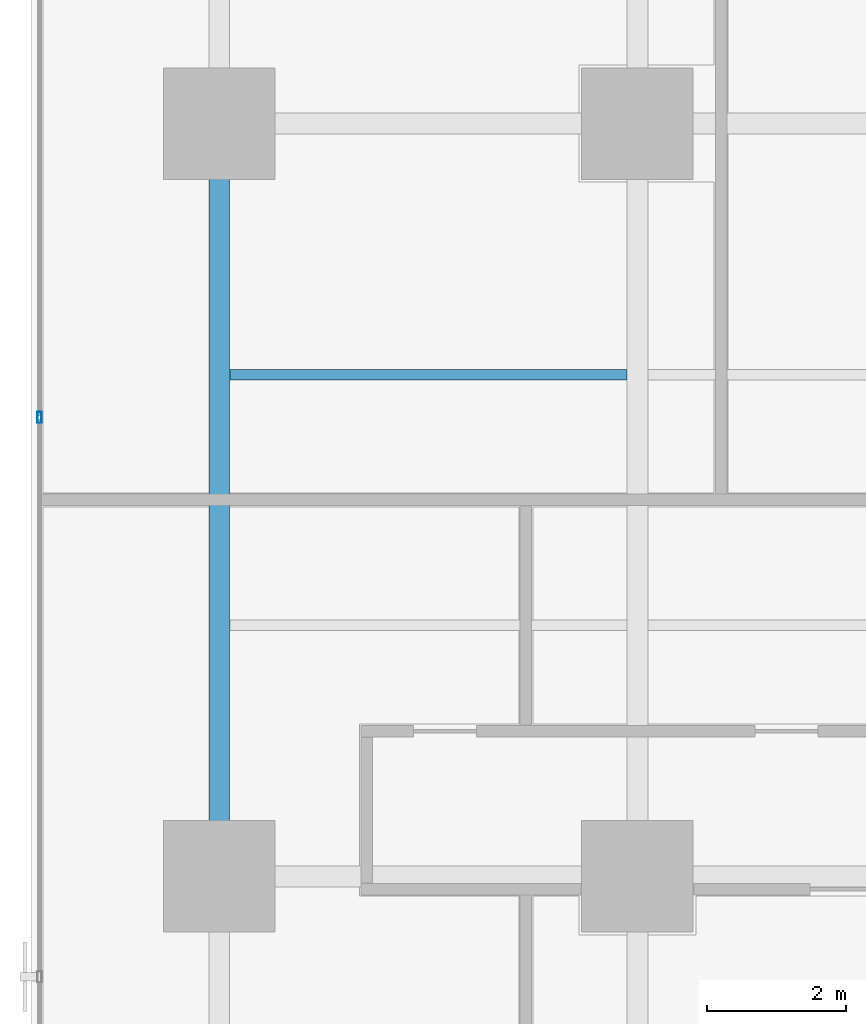
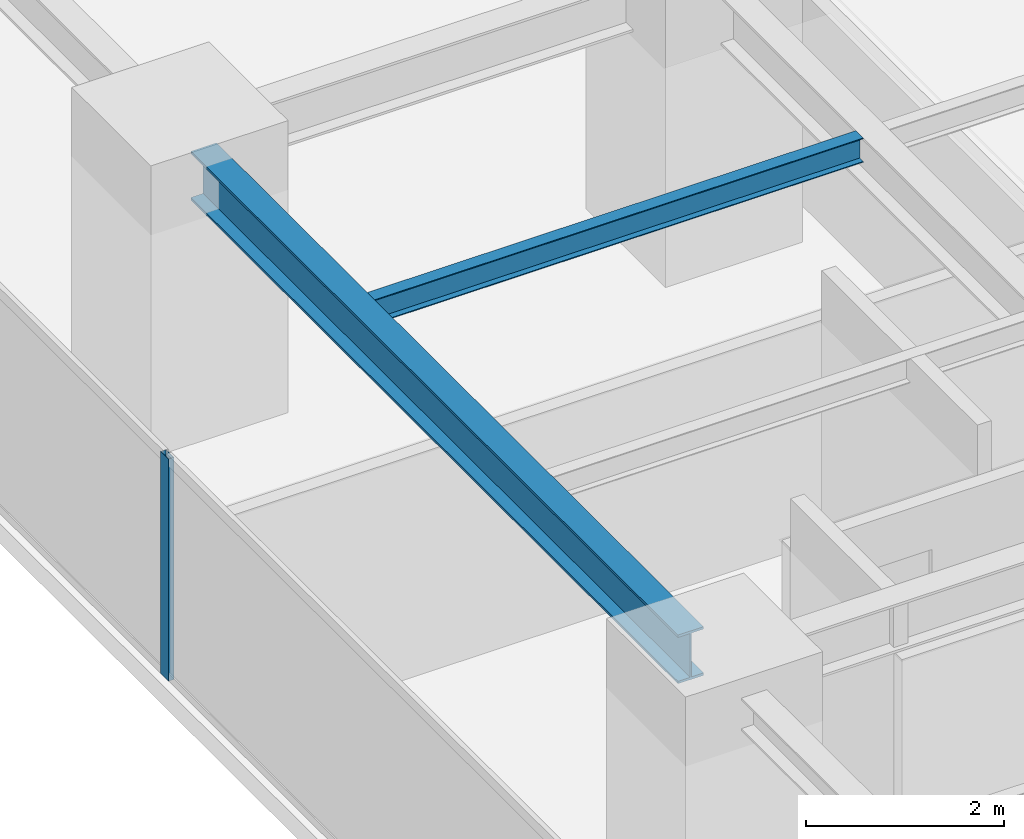
# One storey, part 8 of 35: 2 beams, 1 member, 1 element without a shape of its own.
"""IFC4 building model written with IfcOpenShell, lengths in metres."""

import ifcopenshell
import ifcopenshell.guid

model = None  # the IFC model being written
_history = None  # IfcOwnerHistory: only IFC2X3 demands one
_inside = {}  # id of a spatial element -> (the spatial element, [elements in it])
_under = {}  # id of a project, library or spatial element -> (it, [spatial elements below it])
_declared = {}  # id of a project -> (the project, [libraries it declares])
_typed = {}  # id of a type object -> (the type object, [elements of that type])
_made_of = {}  # id of a material, layer set ... -> (it, [elements and type objects made of it])


def new_model(schema):
    """Start an empty IFC model of exactly this schema.

    Asked for "IFC4X3", IfcOpenShell would pick the latest addendum, in which some entities
    have other attributes; the version numbers below select the first issue.
    IFC2X3 requires an IfcOwnerHistory on every rooted entity: one is made here for all.
    """
    global model, _history
    if schema == "IFC4X3":
        model = ifcopenshell.file(schema_version=(4, 3, 0, 0))
    else:
        model = ifcopenshell.file(schema=schema)
    _inside.clear()
    _under.clear()
    _declared.clear()
    _typed.clear()
    _made_of.clear()
    _history = None
    if model.schema == "IFC2X3":
        org = make("IfcOrganization", Name="unknown")
        user = make(
            "IfcPersonAndOrganization",
            ThePerson=make("IfcPerson", FamilyName="unknown"),
            TheOrganization=org,
        )
        app = make(
            "IfcApplication",
            ApplicationDeveloper=org,
            Version="unknown",
            ApplicationFullName="unknown",
            ApplicationIdentifier="unknown",
        )
        _history = make(
            "IfcOwnerHistory",
            OwningUser=user,
            OwningApplication=app,
            ChangeAction="ADDED",
            CreationDate=0,
        )
    return model


def make(cls, **values):
    """One entity of the class cls with the attributes given. An attribute that is None is left unset."""
    return model.create_entity(
        cls, **{name: value for name, value in values.items() if value is not None}
    )


def rooted(cls, **values):
    """An entity with a GlobalId (a new one), such as an element, a storey or a relation."""
    return make(cls, GlobalId=ifcopenshell.guid.new(), OwnerHistory=_history, **values)


def si_unit(unit_type, name, prefix=None):
    """IfcSIUnit, for example si_unit("LENGTHUNIT", "METRE", prefix="MILLI")."""
    return make("IfcSIUnit", UnitType=unit_type, Prefix=prefix, Name=name)


def assignment(units):
    """IfcUnitAssignment: the units of a project."""
    return None if units is None else make("IfcUnitAssignment", Units=units)


def point(xyz):
    """IfcCartesianPoint."""
    return None if xyz is None else make("IfcCartesianPoint", Coordinates=xyz)


def direction(xyz):
    """IfcDirection."""
    return None if xyz is None else make("IfcDirection", DirectionRatios=xyz)


def frame(location, z_axis=None, x_axis=None):
    """IfcAxis2Placement3D, a coordinate frame: its origin and axes. An axis left out is left unset."""
    return make(
        "IfcAxis2Placement3D",
        Location=point(location),
        Axis=direction(z_axis),
        RefDirection=direction(x_axis),
    )


def frame_2d(location, x_axis=None):
    """IfcAxis2Placement2D, a coordinate frame in the plane: its origin and x axis."""
    return make(
        "IfcAxis2Placement2D", Location=point(location), RefDirection=direction(x_axis)
    )


def origin():
    """The frame at (0, 0, 0) with its axes left unset."""
    return frame((0.0, 0.0, 0.0))


def origin_2d():
    """The frame at (0, 0) in the plane with its x axis left unset."""
    return frame_2d((0.0, 0.0))


def place(relative_to, where):
    """IfcLocalPlacement: puts the frame where relative to a parent placement (None: the world)."""
    return make(
        "IfcLocalPlacement", PlacementRelTo=relative_to, RelativePlacement=where
    )


def context(
    kind, dimensions, precision=None, world=None, true_north=None, identifier=None
):
    """IfcGeometricRepresentationContext, for example the 3D "Model" context."""
    return make(
        "IfcGeometricRepresentationContext",
        ContextIdentifier=identifier,
        ContextType=kind,
        CoordinateSpaceDimension=dimensions,
        Precision=precision,
        WorldCoordinateSystem=world,
        TrueNorth=true_north,
    )


def subcontext(parent, identifier, kind, view, scale=None):
    """IfcGeometricRepresentationSubContext, for example "Body" below "Model"."""
    return make(
        "IfcGeometricRepresentationSubContext",
        ContextIdentifier=identifier,
        ContextType=kind,
        ParentContext=parent,
        TargetScale=scale,
        TargetView=view,
    )


def project(units=None, contexts=None):
    """IfcProject with its units and contexts."""
    return rooted(
        "IfcProject",
        Name="project",
        RepresentationContexts=contexts,
        UnitsInContext=assignment(units),
    )


def spatial(cls, under=None, at=None, **own):
    """A site, building, storey or space (cls), placed at a placement, below another one or the project."""
    s = rooted(cls, ObjectPlacement=at, **own)
    if under is not None:
        _under.setdefault(under.id(), (under, []))[1].append(s)
    return s


def profile(cls, at=None, kind="AREA", **sizes):
    """A parametric profile (cls). Its sizes go by their IFC names, for example OverallWidth=200.0."""
    return make(cls, ProfileType=kind, Position=at, **sizes)


def hollow_rectangle(**sizes):
    """IfcRectangleHollowProfileDef."""
    return profile("IfcRectangleHollowProfileDef", **sizes)


def i_section(**sizes):
    """IfcIShapeProfileDef."""
    return profile("IfcIShapeProfileDef", **sizes)


def extrude(swept, where, along, depth):
    """IfcExtrudedAreaSolid: the profile swept, set in the frame where, extruded along a direction by depth."""
    return make(
        "IfcExtrudedAreaSolid",
        SweptArea=swept,
        Position=where,
        ExtrudedDirection=direction(along),
        Depth=depth,
    )


def shape(context_of_items, identifier, shape_type, items):
    """IfcShapeRepresentation: the items that make up one representation, for example the "Body"."""
    return make(
        "IfcShapeRepresentation",
        ContextOfItems=context_of_items,
        RepresentationIdentifier=identifier,
        RepresentationType=shape_type,
        Items=items,
    )


def source(mapping_origin, context_of_items, identifier, shape_type, items):
    """IfcRepresentationMap: a shape defined once, which mapped items show again and again."""
    return make(
        "IfcRepresentationMap",
        MappingOrigin=mapping_origin,
        MappedRepresentation=shape(context_of_items, identifier, shape_type, items),
    )


def transform(
    local_origin,
    x_axis=None,
    y_axis=None,
    z_axis=None,
    scale=None,
    scale2=None,
    scale3=None,
    uniform=True,
):
    """IfcCartesianTransformationOperator3D, or its non-uniform kind. x_axis, y_axis, z_axis: its Axis1, 2, 3."""
    if uniform:
        return make(
            "IfcCartesianTransformationOperator3D",
            Axis1=direction(x_axis),
            Axis2=direction(y_axis),
            LocalOrigin=point(local_origin),
            Scale=scale,
            Axis3=direction(z_axis),
        )
    return make(
        "IfcCartesianTransformationOperator3DnonUniform",
        Axis1=direction(x_axis),
        Axis2=direction(y_axis),
        LocalOrigin=point(local_origin),
        Scale=scale,
        Axis3=direction(z_axis),
        Scale2=scale2,
        Scale3=scale3,
    )


def mapped(mapping_source, mapping_target):
    """IfcMappedItem: shows the shape of a source again, moved by a transform."""
    return make(
        "IfcMappedItem", MappingSource=mapping_source, MappingTarget=mapping_target
    )


def material(Name=None, Category=None):
    """IfcMaterial."""
    return make("IfcMaterial", Name=Name, Category=Category)


def layer(
    of_material, thickness, ventilated=None, Name=None, Category=None, Priority=None
):
    """IfcMaterialLayer: one layer of a wall or slab, of a material (None: an air gap)."""
    return make(
        "IfcMaterialLayer",
        Material=of_material,
        LayerThickness=thickness,
        IsVentilated=ventilated,
        Name=Name,
        Category=Category,
        Priority=Priority,
    )


def layer_set(layers, Name=None):
    """IfcMaterialLayerSet."""
    return make("IfcMaterialLayerSet", MaterialLayers=layers, LayerSetName=Name)


def material_profile(
    of_material, cross_section, Name=None, Category=None, Priority=None
):
    """IfcMaterialProfile: a cross section and its material."""
    return make(
        "IfcMaterialProfile",
        Name=Name,
        Material=of_material,
        Profile=cross_section,
        Priority=Priority,
        Category=Category,
    )


def profile_set(profiles, Name=None, composite=None):
    """IfcMaterialProfileSet."""
    return make(
        "IfcMaterialProfileSet",
        Name=Name,
        MaterialProfiles=profiles,
        CompositeProfile=composite,
    )


def made_of(thing, what):
    """Note that an element or type object is made of a material, layer set ...; save() writes the relation."""
    if what is not None:
        _made_of.setdefault(what.id(), (what, []))[1].append(thing)
    return thing


def type_object(cls, material=None, **own):
    """A type object (cls), such as IfcWallType, which elements share."""
    return made_of(rooted(cls, **own), material)


def element(
    cls,
    number,
    at=None,
    inside=None,
    cuts=None,
    type_object=None,
    material=None,
    context=None,
    identifier="Body",
    shape_type=None,
    held_by="IfcProductDefinitionShape",
    body=None,
    shapes=None,
    **own,
):
    """One element of the class cls, such as IfcWall. Its Tag is "e" and its number.

    at: its placement. inside: the storey or other place that contains it. cuts: it is an
    opening in that element (IfcRelVoidsElement). A single representation is given by context,
    identifier, shape_type and body (its items); several are given by shapes. held_by: the class
    of the entity that holds the representations. save() writes the other relations.
    """
    e = rooted(cls, Tag="e%d" % number, ObjectPlacement=at, **own)
    if body is not None:
        shapes = [shape(context, identifier, shape_type, body)]
    if shapes is not None:
        e.Representation = make(held_by, Representations=shapes)
    if inside is not None:
        _inside.setdefault(inside.id(), (inside, []))[1].append(e)
    if cuts is not None:
        rooted(
            "IfcRelVoidsElement", RelatingBuildingElement=cuts, RelatedOpeningElement=e
        )
    if type_object is not None:
        _typed.setdefault(type_object.id(), (type_object, []))[1].append(e)
    return made_of(e, material)


def aggregate(whole, parts):
    """IfcRelAggregates: a whole, such as a stair, and the parts it consists of."""
    return rooted("IfcRelAggregates", RelatingObject=whole, RelatedObjects=parts)


def save(model, path):
    """Write the relations noted so far, then the file.

    IfcRelAggregates (storeys below a building ...), IfcRelContainedInSpatialStructure (elements
    in a storey), IfcRelDefinesByType, IfcRelAssociatesMaterial and IfcRelDeclares: one each for
    every whole, place, type object, material and project.
    """
    for whole, parts in _under.values():
        aggregate(whole, parts)
    for where, things in _inside.values():
        rooted(
            "IfcRelContainedInSpatialStructure",
            RelatedElements=things,
            RelatingStructure=where,
        )
    for kind, things in _typed.values():
        rooted("IfcRelDefinesByType", RelatedObjects=things, RelatingType=kind)
    for what, things in _made_of.values():
        rooted("IfcRelAssociatesMaterial", RelatedObjects=things, RelatingMaterial=what)
    for by, libraries in _declared.values():
        rooted("IfcRelDeclares", RelatingContext=by, RelatedDefinitions=libraries)
    model.write(path)


model = new_model("IFC4")

# Units and contexts
model_context = context("Model", 3, precision=1e-05, world=origin(), true_north=direction((0.0, 1.0)))
body_context = subcontext(model_context, "Body", "Model", "MODEL_VIEW")
ifc_project = project(units=[si_unit("LENGTHUNIT", "METRE"), si_unit("AREAUNIT", "SQUARE_METRE"), si_unit("VOLUMEUNIT", "CUBIC_METRE"), si_unit("PLANEANGLEUNIT", "RADIAN"), si_unit("MASSUNIT", "GRAM", prefix="KILO")], contexts=[model_context])

# Site, building, storey
site_placement = place(None, origin())
site = spatial("IfcSite", under=ifc_project, at=site_placement, CompositionType="ELEMENT")
building_placement = place(site_placement, origin())
building = spatial("IfcBuilding", under=site, at=building_placement, Name="Sumidabori Civic Tower", CompositionType="ELEMENT")
storey_placement = place(building_placement, frame((0.0, 0.0, 102.800048828125)))
storey = spatial("IfcBuildingStorey", under=building, at=storey_placement, Name="L26", CompositionType="ELEMENT", Elevation=102.800048828125)

# Beams
ifc_material_1 = material(Name="Steel SN490", Category="steel")
ifc_material_profile_1 = material_profile(ifc_material_1, i_section(OverallWidth=0.300048828125, OverallDepth=0.60009765625, WebThickness=0.015380859375, FlangeThickness=0.030029296875, at=origin_2d()), Name="HE 600 B")
ifc_profile_set_1 = profile_set([ifc_material_profile_1], Name="Steel SN490")
beam_type_1 = type_object("IfcBeamType", Name="BM-GIRD-600", PredefinedType="BEAM", material=ifc_profile_set_1)
shared_shape_1 = source(origin(), body_context, "Body", "SweptSolid", [
    extrude(i_section(OverallWidth=0.300048828125, OverallDepth=0.60009765625, WebThickness=0.015380859375, FlangeThickness=0.030029296875, at=origin_2d()), origin(), (0.0, 0.0, 1.0), 9.840087890625),
])
beam_1_placement = place(storey_placement, frame((-22.800048828125, -10.320068359375, 3.06005859375), z_axis=(0.0, 1.0, 0.0), x_axis=(-1.0, 0.0, 0.0)))
element("IfcBeam", 1, at=beam_1_placement, inside=storey, type_object=beam_type_1, Name="Primary Girder L26 GY-22", PredefinedType="BEAM", context=body_context, shape_type="MappedRepresentation", body=[
    mapped(shared_shape_1, transform((0.0, 0.0, 0.0), x_axis=(1.0, 0.0, 0.0), y_axis=(0.0, 1.0, 0.0), z_axis=(0.0, 0.0, 1.0), scale=1.0)),
])
ifc_material_profile_2 = material_profile(ifc_material_1, i_section(OverallWidth=0.14990234375, OverallDepth=0.300048828125, WebThickness=0.007080078125, FlangeThickness=0.0107421875, at=origin_2d()), Name="IPE 300")
ifc_profile_set_2 = profile_set([ifc_material_profile_2], Name="Steel SN490")
beam_type_2 = type_object("IfcBeamType", Name="BM-JST-300", PredefinedType="JOIST", material=ifc_profile_set_2)
shared_shape_2 = source(origin(), body_context, "Body", "SweptSolid", [
    extrude(i_section(OverallWidth=0.14990234375, OverallDepth=0.300048828125, WebThickness=0.007080078125, FlangeThickness=0.0107421875, at=origin_2d()), origin(), (0.0, 0.0, 1.0), 5.699951171875),
])
beam_2_placement = place(storey_placement, frame((-22.64990234375, -3.60009765625, 3.2099609375), z_axis=(1.0, 0.0, 0.0), x_axis=(0.0, 1.0, 0.0)))
element("IfcBeam", 2, at=beam_2_placement, inside=storey, type_object=beam_type_2, Name="Outer Bay Floor Joist L26 JSTO-45", PredefinedType="JOIST", context=body_context, shape_type="MappedRepresentation", body=[
    mapped(shared_shape_2, transform((0.0, 0.0, 0.0), x_axis=(1.0, 0.0, 0.0), y_axis=(0.0, 1.0, 0.0), z_axis=(0.0, 0.0, 1.0), scale=1.0)),
])

# Curtain wall, member
ifc_material_2 = material(Name="Anodised Bronze Aluminium AW-6063-T6", Category="aluminium")
ifc_layer = layer(ifc_material_2, 0.179931640625, Name="Anodised Bronze Aluminium AW-6063-T6")
ifc_layer_set = layer_set([ifc_layer], Name="Anodised Bronze Aluminium AW-6063-T6")
curtain_wall_type = type_object("IfcCurtainWallType", Name="CW-SYS-3", PredefinedType="NOTDEFINED", material=ifc_layer_set)
curtain_wall_placement = place(storey_placement, origin())
curtain_wall = element("IfcCurtainWall", 3, at=curtain_wall_placement, inside=storey, type_object=curtain_wall_type, Name="Curtain Wall CW:L26:R10", PredefinedType="NOTDEFINED")
ifc_material_profile_3 = material_profile(ifc_material_2, hollow_rectangle(XDim=0.06494140625, YDim=0.159912109375, WallThickness=0.0048828125, at=origin_2d()), Name="ALU MULLION 160x65")
ifc_profile_set_3 = profile_set([ifc_material_profile_3], Name="Anodised Bronze Aluminium AW-6063-T6")
member_type = type_object("IfcMemberType", Name="CW-MUL-160", PredefinedType="MULLION", material=ifc_profile_set_3)
shared_shape_3 = source(origin(), body_context, "Body", "SweptSolid", [
    extrude(hollow_rectangle(XDim=0.06494140625, YDim=0.159912109375, WallThickness=0.0048828125, at=origin_2d()), origin(), (0.0, 0.0, 1.0), 2.739990234375),
])
member_placement = place(storey_placement, frame((-25.3798828125, -4.214111328125, 0.0), z_axis=(0.0, 0.0, 1.0), x_axis=(1.0, 0.0, 0.0)))
member = element("IfcMember", 4, at=member_placement, type_object=member_type, Name="CW-3 mullion 4", PredefinedType="MULLION", context=body_context, shape_type="MappedRepresentation", body=[
    mapped(shared_shape_3, transform((0.0, 0.0, 0.0), x_axis=(1.0, 0.0, 0.0), y_axis=(0.0, 1.0, 0.0), z_axis=(0.0, 0.0, 1.0), scale=1.0)),
])
aggregate(curtain_wall, [member])

save(model, "model.ifc")
